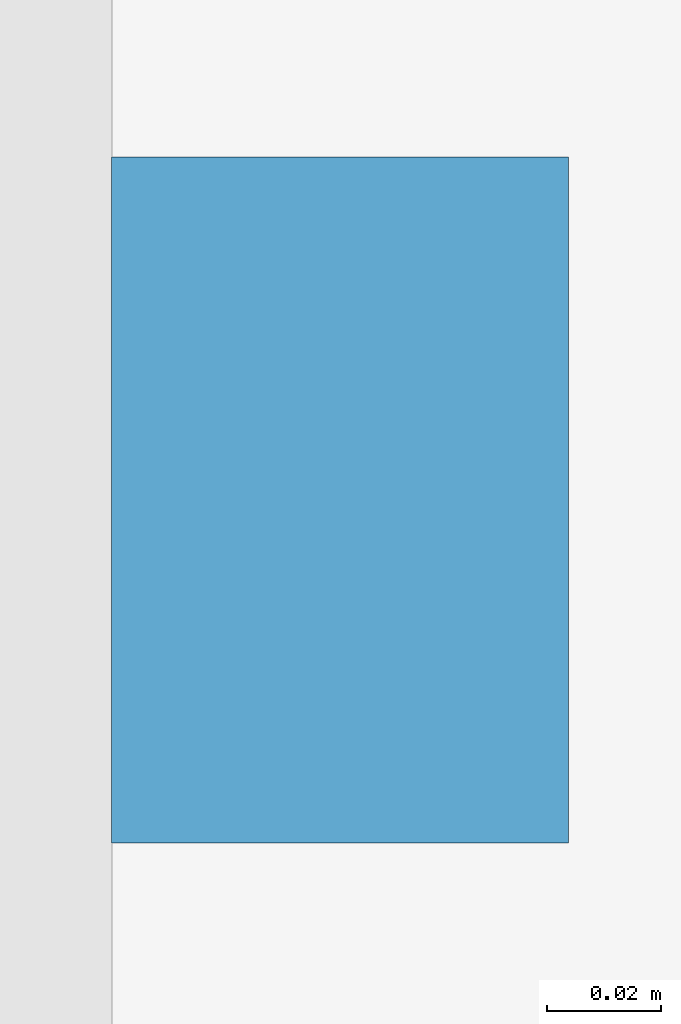
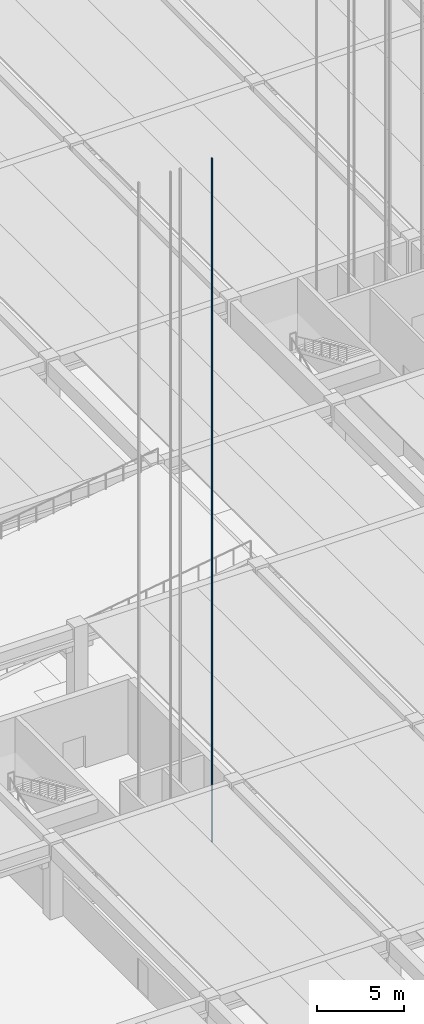
# One storey, part 36 of 59: 1 discrete accessory.
"""IFC4 building model written with IfcOpenShell, lengths in metres."""

from ifc_helpers import new_model, si_unit, direction, frame, origin, origin_2d, place, context, subcontext, project, spatial, rectangle, extrude, material, type_object, element, save


model = new_model("IFC4")

# Units and contexts
model_context = context("Model", 3, precision=1e-05, world=origin(), true_north=direction((0.0, 1.0)))
body_context = subcontext(model_context, "Body", "Model", "MODEL_VIEW")
ifc_project = project(units=[si_unit("LENGTHUNIT", "METRE"), si_unit("AREAUNIT", "SQUARE_METRE"), si_unit("VOLUMEUNIT", "CUBIC_METRE"), si_unit("PLANEANGLEUNIT", "RADIAN"), si_unit("MASSUNIT", "GRAM", prefix="KILO")], contexts=[model_context])

# Site, building, storey
site_placement = place(None, origin())
site = spatial("IfcSite", under=ifc_project, at=site_placement, CompositionType="ELEMENT")
building_placement = place(site_placement, origin())
building = spatial("IfcBuilding", under=site, at=building_placement, Name="Girod Span Mobility Hub", CompositionType="ELEMENT")
storey_placement = place(building_placement, origin())
storey = spatial("IfcBuildingStorey", under=building, at=storey_placement, Name="L00", CompositionType="ELEMENT", Elevation=0.0)

# Discrete accessory
ifc_material = material(Name="Steel A992 Grade 50", Category="steel")
discrete_accessory_type = type_object("IfcDiscreteAccessoryType", Name="ACC-LFT-RAIL", PredefinedType="USERDEFINED", material=ifc_material)
discrete_accessory_placement = place(storey_placement, frame((83.52490234375, 28.699951171875, 0.0), z_axis=(0.0, 0.0, 1.0), x_axis=(1.0, 0.0, 0.0)))
element("IfcDiscreteAccessory", 1, at=discrete_accessory_placement, inside=storey, type_object=discrete_accessory_type, Name="Hoistway Guide Rail LP-6-E", ObjectType="GUIDE RAIL", PredefinedType="USERDEFINED", context=body_context, shape_type="SweptSolid", body=[
    extrude(rectangle(XDim=0.080078125, YDim=0.1201171875, at=origin_2d()), origin(), (0.0, 0.0, 1.0), 47.949951171875),
])

save(model, "model.ifc")
